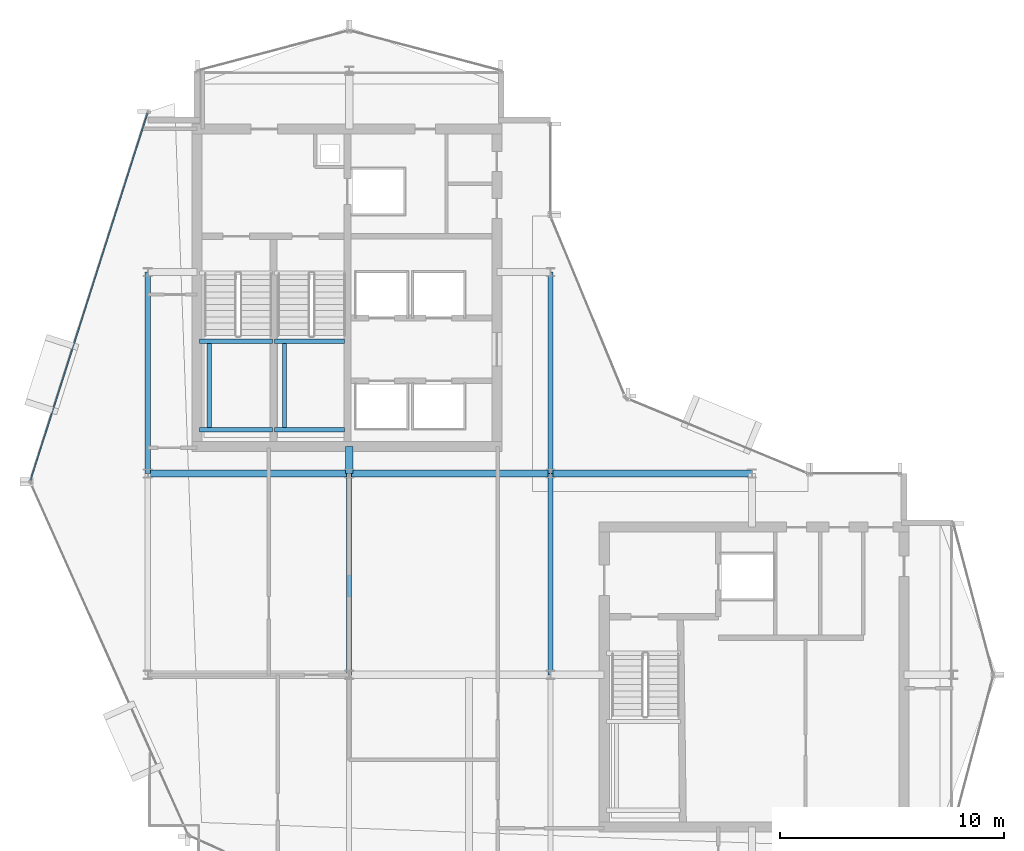
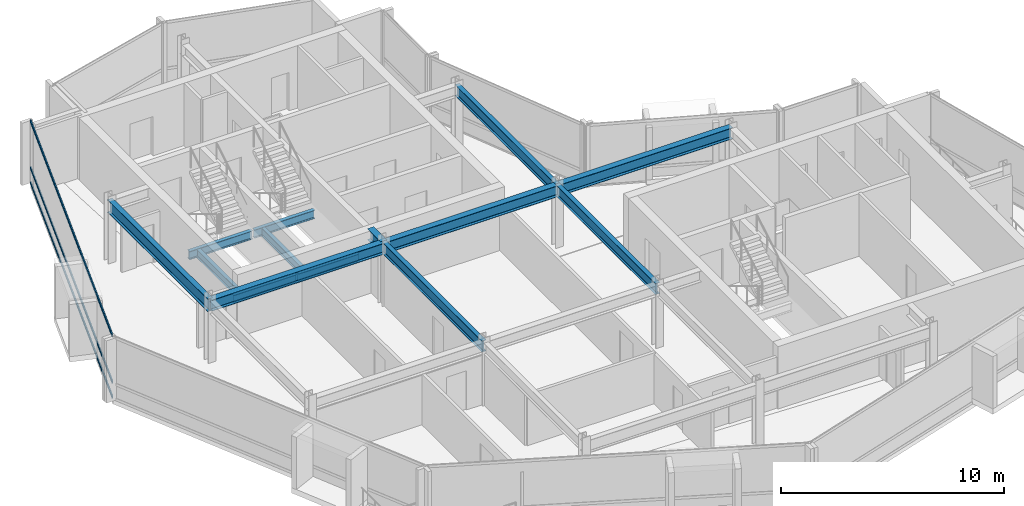
# One storey, part 7 of 19: 14 beams, 3 members, 1 element without a shape of its own.
"""IFC4 building model written with IfcOpenShell, lengths in metres."""

from ifc_helpers import new_model, si_unit, direction, frame, origin, origin_2d, place, context, subcontext, project, spatial, hollow_rectangle, i_section, extrude, material, layer, layer_set, material_profile, profile_set, type_object, element, aggregate, save


model = new_model("IFC4")

# Units and contexts
model_context = context("Model", 3, precision=1e-05, world=origin(), true_north=direction((0.0, 1.0)))
body_context = subcontext(model_context, "Body", "Model", "MODEL_VIEW")
ifc_project = project(units=[si_unit("LENGTHUNIT", "METRE"), si_unit("AREAUNIT", "SQUARE_METRE"), si_unit("VOLUMEUNIT", "CUBIC_METRE"), si_unit("PLANEANGLEUNIT", "RADIAN"), si_unit("MASSUNIT", "GRAM", prefix="KILO")], contexts=[model_context])

# Site, building, storey
site_placement = place(None, origin())
site = spatial("IfcSite", under=ifc_project, at=site_placement, CompositionType="ELEMENT")
building_placement = place(site_placement, origin())
building = spatial("IfcBuilding", under=site, at=building_placement, Name="Solvaryn Broadcast Tower", CompositionType="ELEMENT")
storey_placement = place(building_placement, frame((0.0, 0.0, 251.89990234375)))
storey = spatial("IfcBuildingStorey", under=building, at=storey_placement, Name="L63", CompositionType="ELEMENT", Elevation=251.89990234375)

# Beams
ifc_material_1 = material(Name="Steel ASTM A992 Grade 50", Category="steel")
ifc_material_profile_1 = material_profile(ifc_material_1, i_section(OverallWidth=0.323974609375, OverallDepth=0.611083984375, WebThickness=0.0126953125, FlangeThickness=0.01904296875, FilletRadius=0.014892578125, at=origin_2d()))
ifc_profile_set_1 = profile_set([ifc_material_profile_1], Name="Steel ASTM A992 Grade 50")
beam_type_1 = type_object("IfcBeamType", Name="BM-B1-W24X104", PredefinedType="BEAM", material=ifc_profile_set_1)
for number, where, z_axis, x_axis, name in (
    (1, (9.0, 27.0, 3.114501953125), (1.0, 0.0, 0.0), (0.0, 1.0, 0.0), "L63 Primary Beam X (9-18 @ Y=27)"),
    (2, (18.0, 27.0, 3.114501953125), (1.0, 0.0, 0.0), (0.0, 1.0, 0.0), "L63 Primary Beam X (18-27 @ Y=27)"),
    (3, (27.0, 27.0, 3.114501953125), (1.0, 0.0, 0.0), (0.0, 1.0, 0.0), "L63 Primary Beam X (27-36 @ Y=27)"),
):
    element("IfcBeam", number, at=place(storey_placement, frame(where, z_axis=z_axis, x_axis=x_axis)), inside=storey, type_object=beam_type_1, Name=name, PredefinedType="BEAM", context=body_context, shape_type="SweptSolid", body=[
        extrude(i_section(OverallWidth=0.323974609375, OverallDepth=0.611083984375, WebThickness=0.0126953125, FlangeThickness=0.01904296875, FilletRadius=0.014892578125, at=origin_2d()), origin(), (0.0, 0.0, 1.0), 9.0),
    ])
beam_1_placement = place(storey_placement, frame((18.0, 27.0, 3.114501953125), z_axis=(0.0, 1.0, 0.0), x_axis=(-1.0, 0.0, 0.0)))
element("IfcBeam", 4, at=beam_1_placement, inside=storey, type_object=beam_type_1, Name="L63 Core Tie Beam CTW4", PredefinedType="BEAM", context=body_context, shape_type="SweptSolid", body=[
    extrude(i_section(OverallWidth=0.323974609375, OverallDepth=0.611083984375, WebThickness=0.0126953125, FlangeThickness=0.01904296875, FilletRadius=0.014892578125, at=origin_2d()), origin(), (0.0, 0.0, 1.0), 1.199951171875),
])
ifc_material_2 = material(Name="Steel ASTM A992 Grade 50", Category="steel")
ifc_material_profile_2 = material_profile(ifc_material_2, i_section(OverallWidth=0.22802734375, OverallDepth=0.60791015625, WebThickness=0.01123046875, FlangeThickness=0.017333984375, FilletRadius=0.014892578125, at=origin_2d()))
ifc_profile_set_2 = profile_set([ifc_material_profile_2], Name="Steel ASTM A992 Grade 50")
beam_type_2 = type_object("IfcBeamType", Name="BM-B2-W24X76", PredefinedType="BEAM", material=ifc_profile_set_2)
for number, where, z_axis, x_axis, name in (
    (5, (18.0, 18.0, 3.1162109375), (0.0, 1.0, 0.0), (-1.0, 0.0, 0.0), "L63 Primary Beam Y (18-27 @ X=18)"),
    (6, (27.0, 18.0, 3.1162109375), (0.0, 1.0, 0.0), (-1.0, 0.0, 0.0), "L63 Primary Beam Y (18-27 @ X=27)"),
    (7, (27.0, 27.0, 3.1162109375), (0.0, 1.0, 0.0), (-1.0, 0.0, 0.0), "L63 Primary Beam Y (27-36 @ X=27)"),
):
    element("IfcBeam", number, at=place(storey_placement, frame(where, z_axis=z_axis, x_axis=x_axis)), inside=storey, type_object=beam_type_2, Name=name, PredefinedType="BEAM", context=body_context, shape_type="SweptSolid", body=[
        extrude(i_section(OverallWidth=0.22802734375, OverallDepth=0.60791015625, WebThickness=0.01123046875, FlangeThickness=0.017333984375, FilletRadius=0.014892578125, at=origin_2d()), origin(), (0.0, 0.0, 1.0), 9.0),
    ])
ifc_material_3 = material(Name="Steel ASTM A992 Grade 50", Category="steel")
ifc_material_profile_3 = material_profile(ifc_material_3, i_section(OverallWidth=0.18994140625, OverallDepth=0.45703125, WebThickness=0.009033203125, FlangeThickness=0.014404296875, FilletRadius=0.011962890625, at=origin_2d()))
ifc_profile_set_3 = profile_set([ifc_material_profile_3], Name="Steel ASTM A992 Grade 50")
beam_type_3 = type_object("IfcBeamType", Name="BM-B4-W18X50", PredefinedType="BEAM", material=ifc_profile_set_3)
for number, where, z_axis, x_axis, name in (
    (8, (11.300048828125, 28.949951171875, 1.421630859375), (1.0, 0.0, 0.0), (0.0, 1.0, 0.0), "L63 ST1 Landing Support Beam 1A"),
    (9, (11.300048828125, 32.909912109375, 1.421630859375), (1.0, 0.0, 0.0), (0.0, 1.0, 0.0), "L63 ST1 Landing Support Beam 1B"),
):
    element("IfcBeam", number, at=place(storey_placement, frame(where, z_axis=z_axis, x_axis=x_axis)), inside=storey, type_object=beam_type_3, Name=name, PredefinedType="BEAM", context=body_context, shape_type="SweptSolid", body=[
        extrude(i_section(OverallWidth=0.18994140625, OverallDepth=0.45703125, WebThickness=0.009033203125, FlangeThickness=0.014404296875, FilletRadius=0.011962890625, at=origin_2d()), origin(), (0.0, 0.0, 1.0), 3.280029296875),
    ])
beam_2_placement = place(storey_placement, frame((11.75, 28.949951171875, 1.421630859375), z_axis=(0.0, 1.0, 0.0), x_axis=(-1.0, 0.0, 0.0)))
element("IfcBeam", 10, at=beam_2_placement, inside=storey, type_object=beam_type_3, Name="L63 ST1 Landing Cross Stringer 1C", PredefinedType="BEAM", context=body_context, shape_type="SweptSolid", body=[
    extrude(i_section(OverallWidth=0.18994140625, OverallDepth=0.45703125, WebThickness=0.009033203125, FlangeThickness=0.014404296875, FilletRadius=0.011962890625, at=origin_2d()), origin(), (0.0, 0.0, 1.0), 3.9599609375),
])
for number, where, z_axis, x_axis, name in (
    (11, (14.659912109375, 28.949951171875, 1.421630859375), (1.0, 0.0, 0.0), (0.0, 1.0, 0.0), "L63 ST2 Landing Support Beam 1A"),
    (12, (14.659912109375, 32.909912109375, 1.421630859375), (1.0, 0.0, 0.0), (0.0, 1.0, 0.0), "L63 ST2 Landing Support Beam 1B"),
):
    element("IfcBeam", number, at=place(storey_placement, frame(where, z_axis=z_axis, x_axis=x_axis)), inside=storey, type_object=beam_type_3, Name=name, PredefinedType="BEAM", context=body_context, shape_type="SweptSolid", body=[
        extrude(i_section(OverallWidth=0.18994140625, OverallDepth=0.45703125, WebThickness=0.009033203125, FlangeThickness=0.014404296875, FilletRadius=0.011962890625, at=origin_2d()), origin(), (0.0, 0.0, 1.0), 3.14013671875),
    ])
beam_3_placement = place(storey_placement, frame((15.110107421875, 28.949951171875, 1.421630859375), z_axis=(0.0, 1.0, 0.0), x_axis=(-1.0, 0.0, 0.0)))
element("IfcBeam", 13, at=beam_3_placement, inside=storey, type_object=beam_type_3, Name="L63 ST2 Landing Cross Stringer 1C", PredefinedType="BEAM", context=body_context, shape_type="SweptSolid", body=[
    extrude(i_section(OverallWidth=0.18994140625, OverallDepth=0.45703125, WebThickness=0.009033203125, FlangeThickness=0.014404296875, FilletRadius=0.011962890625, at=origin_2d()), origin(), (0.0, 0.0, 1.0), 3.9599609375),
])
ifc_material_4 = material(Name="Steel ASTM A992 Grade 50", Category="steel")
ifc_material_profile_4 = material_profile(ifc_material_4, i_section(OverallWidth=0.256103515625, OverallDepth=0.693115234375, WebThickness=0.014404296875, FlangeThickness=0.023681640625, FilletRadius=0.01611328125, at=origin_2d()))
ifc_profile_set_4 = profile_set([ifc_material_profile_4], Name="Steel ASTM A992 Grade 50")
beam_type_4 = type_object("IfcBeamType", Name="BM-SP3-W27X114", PredefinedType="USERDEFINED", material=ifc_profile_set_4)
beam_4_placement = place(storey_placement, frame((9.0, 27.0, 3.073486328125), z_axis=(0.0, 1.0, 0.0), x_axis=(-1.0, 0.0, 0.0)))
element("IfcBeam", 14, at=beam_4_placement, inside=storey, type_object=beam_type_4, Name="L63 Spandrel Beam Y (27-36 @ X=9)", ObjectType="SPANDREL", PredefinedType="USERDEFINED", context=body_context, shape_type="SweptSolid", body=[
    extrude(i_section(OverallWidth=0.256103515625, OverallDepth=0.693115234375, WebThickness=0.014404296875, FlangeThickness=0.023681640625, FilletRadius=0.01611328125, at=origin_2d()), origin(), (0.0, 0.0, 1.0), 9.0),
])

# Curtain wall, members
ifc_material_5 = material(Name="Aluminium and Terracotta Unitised Curtain Wall", Category="masonry")
ifc_layer = layer(ifc_material_5, 0.199951171875)
ifc_layer_set = layer_set([ifc_layer], Name="CW-SYS2-LOWMID")
curtain_wall_type = type_object("IfcCurtainWallType", Name="CW-SYS2-LOWMID", PredefinedType="NOTDEFINED", material=ifc_layer_set)
curtain_wall_placement = place(storey_placement, origin())
curtain_wall = element("IfcCurtainWall", 15, at=curtain_wall_placement, inside=storey, type_object=curtain_wall_type, Name="L63 Curtain Wall DR1", PredefinedType="NOTDEFINED")
ifc_material_6 = material(Name="Anodised Aluminium 6063-T6", Category="aluminium")
ifc_material_profile_5 = material_profile(ifc_material_6, hollow_rectangle(XDim=0.06494140625, YDim=0.14990234375, WallThickness=0.00390625, InnerFilletRadius=0.00390625, OuterFilletRadius=0.008056640625, at=origin_2d()))
ifc_profile_set_5 = profile_set([ifc_material_profile_5], Name="Anodised Aluminium 6063-T6")
member_type = type_object("IfcMemberType", Name="CW-TRN-150", PredefinedType="USERDEFINED", material=ifc_profile_set_5)
member_1_placement = place(storey_placement, frame((8.981689453125, 43.091796875, 0.030029296875), z_axis=(-0.303616405252, -0.952794352661, 0.0), x_axis=(0.952794352661, -0.303616405252, 0.0)))
member_1 = element("IfcMember", 16, at=member_1_placement, type_object=member_type, Name="CWS2 transom 1.1", ObjectType="TRANSOM", PredefinedType="USERDEFINED", context=body_context, shape_type="SweptSolid", body=[
    extrude(hollow_rectangle(XDim=0.06494140625, YDim=0.14990234375, WallThickness=0.00390625, InnerFilletRadius=0.00390625, OuterFilletRadius=0.008056640625, at=origin_2d()), origin(), (0.0, 0.0, 1.0), 17.211181640625),
])
member_2_placement = place(storey_placement, frame((8.981689453125, 43.091796875, 0.85009765625), z_axis=(-0.303616405252, -0.952794352661, 0.0), x_axis=(0.952794352661, -0.303616405252, 0.0)))
member_2 = element("IfcMember", 17, at=member_2_placement, type_object=member_type, Name="CWS2 transom 1.2", ObjectType="TRANSOM", PredefinedType="USERDEFINED", context=body_context, shape_type="SweptSolid", body=[
    extrude(hollow_rectangle(XDim=0.06494140625, YDim=0.14990234375, WallThickness=0.00390625, InnerFilletRadius=0.00390625, OuterFilletRadius=0.008056640625, at=origin_2d()), origin(), (0.0, 0.0, 1.0), 17.211181640625),
])
member_3_placement = place(storey_placement, frame((8.981689453125, 43.091796875, 3.39013671875), z_axis=(-0.303616405252, -0.952794352661, 0.0), x_axis=(0.952794352661, -0.303616405252, 0.0)))
member_3 = element("IfcMember", 18, at=member_3_placement, type_object=member_type, Name="CWS2 transom 1.3", ObjectType="TRANSOM", PredefinedType="USERDEFINED", context=body_context, shape_type="SweptSolid", body=[
    extrude(hollow_rectangle(XDim=0.06494140625, YDim=0.14990234375, WallThickness=0.00390625, InnerFilletRadius=0.00390625, OuterFilletRadius=0.008056640625, at=origin_2d()), origin(), (0.0, 0.0, 1.0), 17.211181640625),
])
aggregate(curtain_wall, [member_1, member_2, member_3])

save(model, "model.ifc")
